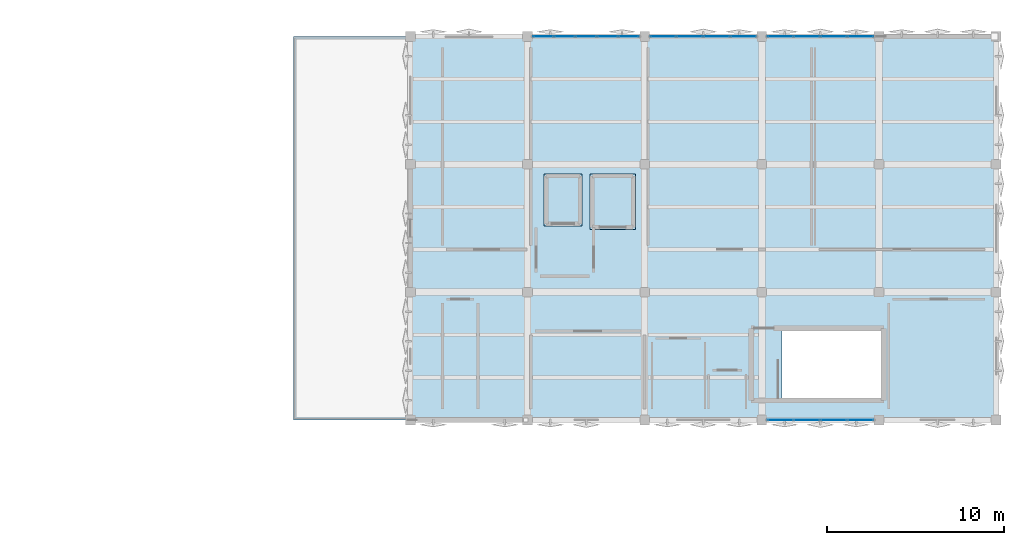
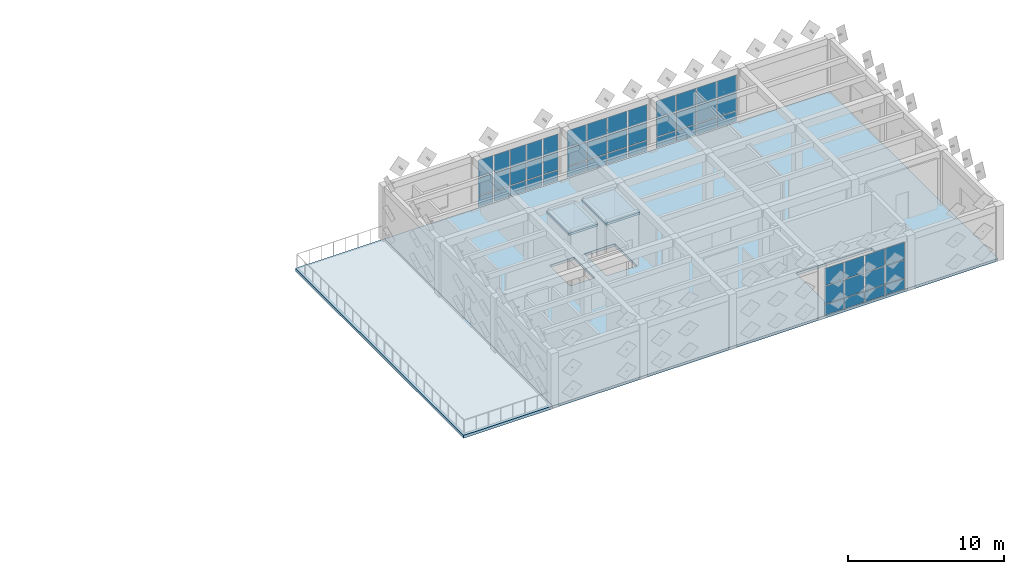
# One storey, part 17 of 29: 51 plates, 4 slabs, 4 elements without a shape of their own.
"""IFC4 building model written with IfcOpenShell, lengths in metres."""

from ifc_helpers import new_model, si_unit, direction, frame, origin, origin_2d, place, context, subcontext, project, spatial, polyline, rectangle, outline, extrude, material, layer, layer_set, type_object, element, aggregate, save


model = new_model("IFC4")

# Units and contexts
model_context = context("Model", 3, precision=1e-05, world=origin(), true_north=direction((0.0, 1.0)))
body_context = subcontext(model_context, "Body", "Model", "MODEL_VIEW")
ifc_project = project(units=[si_unit("LENGTHUNIT", "METRE"), si_unit("AREAUNIT", "SQUARE_METRE"), si_unit("VOLUMEUNIT", "CUBIC_METRE"), si_unit("PLANEANGLEUNIT", "RADIAN"), si_unit("MASSUNIT", "GRAM", prefix="KILO")], contexts=[model_context])

# Site, building, storey
site_placement = place(None, origin())
site = spatial("IfcSite", under=ifc_project, at=site_placement, CompositionType="ELEMENT")
building_placement = place(site_placement, origin())
building = spatial("IfcBuilding", under=site, at=building_placement, Name="Kharisveld Research Institute", CompositionType="ELEMENT")
storey_placement = place(building_placement, frame((0.0, 0.0, 32.10009765625)))
storey = spatial("IfcBuildingStorey", under=building, at=storey_placement, Name="L07", CompositionType="ELEMENT", Elevation=32.10009765625)

# Curtain wall, plates
ifc_material_1 = material(Name="Thermally Broken Aluminium Curtain Wall", Category="aluminium")
ifc_layer_1 = layer(ifc_material_1, 0.159912109375)
ifc_layer_set_1 = layer_set([ifc_layer_1], Name="CW_SYS_01")
curtain_wall_type_1 = type_object("IfcCurtainWallType", Name="CW_SYS_01", PredefinedType="NOTDEFINED", material=ifc_layer_set_1)
curtain_wall_1_placement = place(storey_placement, origin())
curtain_wall_1 = element("IfcCurtainWall", 1, at=curtain_wall_1_placement, inside=storey, type_object=curtain_wall_type_1, Name="CW:V2:L07:N3", PredefinedType="NOTDEFINED")
ifc_material_2 = material(Name="Low-E Double Glazing", Category="glass")
ifc_layer_2 = layer(ifc_material_2, 0.028076171875)
ifc_layer_set_2 = layer_set([ifc_layer_2], Name="CW_PNL_GLZ")
plate_type_1 = type_object("IfcPlateType", Name="CW_PNL_GLZ", PredefinedType="CURTAIN_PANEL", material=ifc_layer_set_2)
plate_1_placement = place(storey_placement, frame((135.292236328125, 60.800048828125, 0.059814453125), z_axis=(0.0, 0.0, 1.0), x_axis=(1.0, 0.0, 0.0)))
plate_1 = element("IfcPlate", 2, at=plate_1_placement, type_object=plate_type_1, Name="CW-01 panel 1.1", PredefinedType="CURTAIN_PANEL", context=body_context, shape_type="SweptSolid", body=[
    extrude(rectangle(XDim=1.114501953125, YDim=0.028076171875, at=origin_2d()), origin(), (0.0, 0.0, 1.0), 0.81005859375),
])
plate_2_placement = place(storey_placement, frame((135.292236328125, 60.800048828125, 0.93017578125), z_axis=(0.0, 0.0, 1.0), x_axis=(1.0, 0.0, 0.0)))
plate_2 = element("IfcPlate", 3, at=plate_2_placement, type_object=plate_type_1, Name="CW-01 panel 1.2", PredefinedType="CURTAIN_PANEL", context=body_context, shape_type="SweptSolid", body=[
    extrude(rectangle(XDim=1.114501953125, YDim=0.028076171875, at=origin_2d()), origin(), (0.0, 0.0, 1.0), 1.389892578125),
])
plate_3_placement = place(storey_placement, frame((135.292236328125, 60.800048828125, 2.3798828125), z_axis=(0.0, 0.0, 1.0), x_axis=(1.0, 0.0, 0.0)))
plate_3 = element("IfcPlate", 4, at=plate_3_placement, type_object=plate_type_1, Name="CW-01 panel 1.3", PredefinedType="CURTAIN_PANEL", context=body_context, shape_type="SweptSolid", body=[
    extrude(rectangle(XDim=1.114501953125, YDim=0.028076171875, at=origin_2d()), origin(), (0.0, 0.0, 1.0), 1.340087890625),
])
plate_4_placement = place(storey_placement, frame((136.488037109375, 60.800048828125, 0.059814453125), z_axis=(0.0, 0.0, 1.0), x_axis=(1.0, 0.0, 0.0)))
plate_4 = element("IfcPlate", 5, at=plate_4_placement, type_object=plate_type_1, Name="CW-01 panel 2.1", PredefinedType="CURTAIN_PANEL", context=body_context, shape_type="SweptSolid", body=[
    extrude(rectangle(XDim=1.14697265625, YDim=0.028076171875, at=origin_2d()), origin(), (0.0, 0.0, 1.0), 0.81005859375),
])
plate_5_placement = place(storey_placement, frame((136.488037109375, 60.800048828125, 0.93017578125), z_axis=(0.0, 0.0, 1.0), x_axis=(1.0, 0.0, 0.0)))
plate_5 = element("IfcPlate", 6, at=plate_5_placement, type_object=plate_type_1, Name="CW-01 panel 2.2", PredefinedType="CURTAIN_PANEL", context=body_context, shape_type="SweptSolid", body=[
    extrude(rectangle(XDim=1.14697265625, YDim=0.028076171875, at=origin_2d()), origin(), (0.0, 0.0, 1.0), 1.389892578125),
])
plate_6_placement = place(storey_placement, frame((136.488037109375, 60.800048828125, 2.3798828125), z_axis=(0.0, 0.0, 1.0), x_axis=(1.0, 0.0, 0.0)))
plate_6 = element("IfcPlate", 7, at=plate_6_placement, type_object=plate_type_1, Name="CW-01 panel 2.3", PredefinedType="CURTAIN_PANEL", context=body_context, shape_type="SweptSolid", body=[
    extrude(rectangle(XDim=1.14697265625, YDim=0.028076171875, at=origin_2d()), origin(), (0.0, 0.0, 1.0), 1.340087890625),
])
plate_7_placement = place(storey_placement, frame((137.699951171875, 60.800048828125, 0.059814453125), z_axis=(0.0, 0.0, 1.0), x_axis=(1.0, 0.0, 0.0)))
plate_7 = element("IfcPlate", 8, at=plate_7_placement, type_object=plate_type_1, Name="CW-01 panel 3.1", PredefinedType="CURTAIN_PANEL", context=body_context, shape_type="SweptSolid", body=[
    extrude(rectangle(XDim=1.14697265625, YDim=0.028076171875, at=origin_2d()), origin(), (0.0, 0.0, 1.0), 0.81005859375),
])
plate_8_placement = place(storey_placement, frame((137.699951171875, 60.800048828125, 0.93017578125), z_axis=(0.0, 0.0, 1.0), x_axis=(1.0, 0.0, 0.0)))
plate_8 = element("IfcPlate", 9, at=plate_8_placement, type_object=plate_type_1, Name="CW-01 panel 3.2", PredefinedType="CURTAIN_PANEL", context=body_context, shape_type="SweptSolid", body=[
    extrude(rectangle(XDim=1.14697265625, YDim=0.028076171875, at=origin_2d()), origin(), (0.0, 0.0, 1.0), 1.389892578125),
])
plate_9_placement = place(storey_placement, frame((137.699951171875, 60.800048828125, 2.3798828125), z_axis=(0.0, 0.0, 1.0), x_axis=(1.0, 0.0, 0.0)))
plate_9 = element("IfcPlate", 10, at=plate_9_placement, type_object=plate_type_1, Name="CW-01 panel 3.3", PredefinedType="CURTAIN_PANEL", context=body_context, shape_type="SweptSolid", body=[
    extrude(rectangle(XDim=1.14697265625, YDim=0.028076171875, at=origin_2d()), origin(), (0.0, 0.0, 1.0), 1.340087890625),
])
plate_10_placement = place(storey_placement, frame((138.912109375, 60.800048828125, 0.059814453125), z_axis=(0.0, 0.0, 1.0), x_axis=(1.0, 0.0, 0.0)))
plate_10 = element("IfcPlate", 11, at=plate_10_placement, type_object=plate_type_1, Name="CW-01 panel 4.1", PredefinedType="CURTAIN_PANEL", context=body_context, shape_type="SweptSolid", body=[
    extrude(rectangle(XDim=1.14697265625, YDim=0.028076171875, at=origin_2d()), origin(), (0.0, 0.0, 1.0), 0.81005859375),
])
plate_11_placement = place(storey_placement, frame((138.912109375, 60.800048828125, 0.93017578125), z_axis=(0.0, 0.0, 1.0), x_axis=(1.0, 0.0, 0.0)))
plate_11 = element("IfcPlate", 12, at=plate_11_placement, type_object=plate_type_1, Name="CW-01 panel 4.2", PredefinedType="CURTAIN_PANEL", context=body_context, shape_type="SweptSolid", body=[
    extrude(rectangle(XDim=1.14697265625, YDim=0.028076171875, at=origin_2d()), origin(), (0.0, 0.0, 1.0), 1.389892578125),
])
plate_12_placement = place(storey_placement, frame((138.912109375, 60.800048828125, 2.3798828125), z_axis=(0.0, 0.0, 1.0), x_axis=(1.0, 0.0, 0.0)))
plate_12 = element("IfcPlate", 13, at=plate_12_placement, type_object=plate_type_1, Name="CW-01 panel 4.3", PredefinedType="CURTAIN_PANEL", context=body_context, shape_type="SweptSolid", body=[
    extrude(rectangle(XDim=1.14697265625, YDim=0.028076171875, at=origin_2d()), origin(), (0.0, 0.0, 1.0), 1.340087890625),
])
plate_13_placement = place(storey_placement, frame((140.107666015625, 60.800048828125, 0.059814453125), z_axis=(0.0, 0.0, 1.0), x_axis=(1.0, 0.0, 0.0)))
plate_13 = element("IfcPlate", 14, at=plate_13_placement, type_object=plate_type_1, Name="CW-01 panel 5.1", PredefinedType="CURTAIN_PANEL", context=body_context, shape_type="SweptSolid", body=[
    extrude(rectangle(XDim=1.114501953125, YDim=0.028076171875, at=origin_2d()), origin(), (0.0, 0.0, 1.0), 0.81005859375),
])
plate_14_placement = place(storey_placement, frame((140.107666015625, 60.800048828125, 0.93017578125), z_axis=(0.0, 0.0, 1.0), x_axis=(1.0, 0.0, 0.0)))
plate_14 = element("IfcPlate", 15, at=plate_14_placement, type_object=plate_type_1, Name="CW-01 panel 5.2", PredefinedType="CURTAIN_PANEL", context=body_context, shape_type="SweptSolid", body=[
    extrude(rectangle(XDim=1.114501953125, YDim=0.028076171875, at=origin_2d()), origin(), (0.0, 0.0, 1.0), 1.389892578125),
])
plate_15_placement = place(storey_placement, frame((140.107666015625, 60.800048828125, 2.3798828125), z_axis=(0.0, 0.0, 1.0), x_axis=(1.0, 0.0, 0.0)))
plate_15 = element("IfcPlate", 16, at=plate_15_placement, type_object=plate_type_1, Name="CW-01 panel 5.3", PredefinedType="CURTAIN_PANEL", context=body_context, shape_type="SweptSolid", body=[
    extrude(rectangle(XDim=1.114501953125, YDim=0.028076171875, at=origin_2d()), origin(), (0.0, 0.0, 1.0), 1.340087890625),
])
aggregate(curtain_wall_1, [plate_1, plate_2, plate_3, plate_4, plate_5, plate_6, plate_7, plate_8, plate_9, plate_10, plate_11, plate_12, plate_13, plate_14, plate_15])

ifc_material_3 = material(Name="Thermally Broken Aluminium Curtain Wall", Category="aluminium")
ifc_layer_3 = layer(ifc_material_3, 0.159912109375)
ifc_layer_set_3 = layer_set([ifc_layer_3], Name="CW_SYS_02")
curtain_wall_type_2 = type_object("IfcCurtainWallType", Name="CW_SYS_02", PredefinedType="NOTDEFINED", material=ifc_layer_set_3)
curtain_wall_2_placement = place(storey_placement, origin())
curtain_wall_2 = element("IfcCurtainWall", 17, at=curtain_wall_2_placement, inside=storey, type_object=curtain_wall_type_2, Name="CW:V2:L07:N4", PredefinedType="NOTDEFINED")
plate_16_placement = place(storey_placement, frame((142.043701171875, 60.800048828125, 0.059814453125), z_axis=(0.0, 0.0, 1.0), x_axis=(1.0, 0.0, 0.0)))
plate_16 = element("IfcPlate", 18, at=plate_16_placement, type_object=plate_type_1, Name="CW-02 panel 1.1", PredefinedType="CURTAIN_PANEL", context=body_context, shape_type="SweptSolid", body=[
    extrude(rectangle(XDim=1.41748046875, YDim=0.028076171875, at=origin_2d()), origin(), (0.0, 0.0, 1.0), 0.81005859375),
])
plate_17_placement = place(storey_placement, frame((142.043701171875, 60.800048828125, 0.93017578125), z_axis=(0.0, 0.0, 1.0), x_axis=(1.0, 0.0, 0.0)))
plate_17 = element("IfcPlate", 19, at=plate_17_placement, type_object=plate_type_1, Name="CW-02 panel 1.2", PredefinedType="CURTAIN_PANEL", context=body_context, shape_type="SweptSolid", body=[
    extrude(rectangle(XDim=1.41748046875, YDim=0.028076171875, at=origin_2d()), origin(), (0.0, 0.0, 1.0), 1.389892578125),
])
plate_18_placement = place(storey_placement, frame((142.043701171875, 60.800048828125, 2.3798828125), z_axis=(0.0, 0.0, 1.0), x_axis=(1.0, 0.0, 0.0)))
plate_18 = element("IfcPlate", 20, at=plate_18_placement, type_object=plate_type_1, Name="CW-02 panel 1.3", PredefinedType="CURTAIN_PANEL", context=body_context, shape_type="SweptSolid", body=[
    extrude(rectangle(XDim=1.41748046875, YDim=0.028076171875, at=origin_2d()), origin(), (0.0, 0.0, 1.0), 1.340087890625),
])
plate_19_placement = place(storey_placement, frame((143.54248046875, 60.800048828125, 0.059814453125), z_axis=(0.0, 0.0, 1.0), x_axis=(1.0, 0.0, 0.0)))
plate_19 = element("IfcPlate", 21, at=plate_19_placement, type_object=plate_type_1, Name="CW-02 panel 2.1", PredefinedType="CURTAIN_PANEL", context=body_context, shape_type="SweptSolid", body=[
    extrude(rectangle(XDim=1.449951171875, YDim=0.028076171875, at=origin_2d()), origin(), (0.0, 0.0, 1.0), 0.81005859375),
])
plate_20_placement = place(storey_placement, frame((143.54248046875, 60.800048828125, 0.93017578125), z_axis=(0.0, 0.0, 1.0), x_axis=(1.0, 0.0, 0.0)))
plate_20 = element("IfcPlate", 22, at=plate_20_placement, type_object=plate_type_1, Name="CW-02 panel 2.2", PredefinedType="CURTAIN_PANEL", context=body_context, shape_type="SweptSolid", body=[
    extrude(rectangle(XDim=1.449951171875, YDim=0.028076171875, at=origin_2d()), origin(), (0.0, 0.0, 1.0), 1.389892578125),
])
plate_21_placement = place(storey_placement, frame((143.54248046875, 60.800048828125, 2.3798828125), z_axis=(0.0, 0.0, 1.0), x_axis=(1.0, 0.0, 0.0)))
plate_21 = element("IfcPlate", 23, at=plate_21_placement, type_object=plate_type_1, Name="CW-02 panel 2.3", PredefinedType="CURTAIN_PANEL", context=body_context, shape_type="SweptSolid", body=[
    extrude(rectangle(XDim=1.449951171875, YDim=0.028076171875, at=origin_2d()), origin(), (0.0, 0.0, 1.0), 1.340087890625),
])
plate_22_placement = place(storey_placement, frame((145.0576171875, 60.800048828125, 0.059814453125), z_axis=(0.0, 0.0, 1.0), x_axis=(1.0, 0.0, 0.0)))
plate_22 = element("IfcPlate", 24, at=plate_22_placement, type_object=plate_type_1, Name="CW-02 panel 3.1", PredefinedType="CURTAIN_PANEL", context=body_context, shape_type="SweptSolid", body=[
    extrude(rectangle(XDim=1.449951171875, YDim=0.028076171875, at=origin_2d()), origin(), (0.0, 0.0, 1.0), 0.81005859375),
])
plate_23_placement = place(storey_placement, frame((145.0576171875, 60.800048828125, 0.93017578125), z_axis=(0.0, 0.0, 1.0), x_axis=(1.0, 0.0, 0.0)))
plate_23 = element("IfcPlate", 25, at=plate_23_placement, type_object=plate_type_1, Name="CW-02 panel 3.2", PredefinedType="CURTAIN_PANEL", context=body_context, shape_type="SweptSolid", body=[
    extrude(rectangle(XDim=1.449951171875, YDim=0.028076171875, at=origin_2d()), origin(), (0.0, 0.0, 1.0), 1.389892578125),
])
plate_24_placement = place(storey_placement, frame((145.0576171875, 60.800048828125, 2.3798828125), z_axis=(0.0, 0.0, 1.0), x_axis=(1.0, 0.0, 0.0)))
plate_24 = element("IfcPlate", 26, at=plate_24_placement, type_object=plate_type_1, Name="CW-02 panel 3.3", PredefinedType="CURTAIN_PANEL", context=body_context, shape_type="SweptSolid", body=[
    extrude(rectangle(XDim=1.449951171875, YDim=0.028076171875, at=origin_2d()), origin(), (0.0, 0.0, 1.0), 1.340087890625),
])
plate_25_placement = place(storey_placement, frame((146.55615234375, 60.800048828125, 0.059814453125), z_axis=(0.0, 0.0, 1.0), x_axis=(1.0, 0.0, 0.0)))
plate_25 = element("IfcPlate", 27, at=plate_25_placement, type_object=plate_type_1, Name="CW-02 panel 4.1", PredefinedType="CURTAIN_PANEL", context=body_context, shape_type="SweptSolid", body=[
    extrude(rectangle(XDim=1.41748046875, YDim=0.028076171875, at=origin_2d()), origin(), (0.0, 0.0, 1.0), 0.81005859375),
])
plate_26_placement = place(storey_placement, frame((146.55615234375, 60.800048828125, 0.93017578125), z_axis=(0.0, 0.0, 1.0), x_axis=(1.0, 0.0, 0.0)))
plate_26 = element("IfcPlate", 28, at=plate_26_placement, type_object=plate_type_1, Name="CW-02 panel 4.2", PredefinedType="CURTAIN_PANEL", context=body_context, shape_type="SweptSolid", body=[
    extrude(rectangle(XDim=1.41748046875, YDim=0.028076171875, at=origin_2d()), origin(), (0.0, 0.0, 1.0), 1.389892578125),
])
plate_27_placement = place(storey_placement, frame((146.55615234375, 60.800048828125, 2.3798828125), z_axis=(0.0, 0.0, 1.0), x_axis=(1.0, 0.0, 0.0)))
plate_27 = element("IfcPlate", 29, at=plate_27_placement, type_object=plate_type_1, Name="CW-02 panel 4.3", PredefinedType="CURTAIN_PANEL", context=body_context, shape_type="SweptSolid", body=[
    extrude(rectangle(XDim=1.41748046875, YDim=0.028076171875, at=origin_2d()), origin(), (0.0, 0.0, 1.0), 1.340087890625),
])
aggregate(curtain_wall_2, [plate_16, plate_17, plate_18, plate_19, plate_20, plate_21, plate_22, plate_23, plate_24, plate_25, plate_26, plate_27])

ifc_material_4 = material(Name="Thermally Broken Aluminium Curtain Wall", Category="aluminium")
ifc_layer_4 = layer(ifc_material_4, 0.159912109375)
ifc_layer_set_4 = layer_set([ifc_layer_4], Name="CW_SYS_03")
curtain_wall_type_3 = type_object("IfcCurtainWallType", Name="CW_SYS_03", PredefinedType="NOTDEFINED", material=ifc_layer_set_4)
curtain_wall_3_placement = place(storey_placement, origin())
curtain_wall_3 = element("IfcCurtainWall", 30, at=curtain_wall_3_placement, inside=storey, type_object=curtain_wall_type_3, Name="CW:V2:L07:N5", PredefinedType="NOTDEFINED")
plate_28_placement = place(storey_placement, frame((148.643798828125, 60.800048828125, 0.059814453125), z_axis=(0.0, 0.0, 1.0), x_axis=(1.0, 0.0, 0.0)))
plate_28 = element("IfcPlate", 31, at=plate_28_placement, type_object=plate_type_1, Name="CW-03 panel 1.1", PredefinedType="CURTAIN_PANEL", context=body_context, shape_type="SweptSolid", body=[
    extrude(rectangle(XDim=1.41748046875, YDim=0.028076171875, at=origin_2d()), origin(), (0.0, 0.0, 1.0), 0.81005859375),
])
plate_29_placement = place(storey_placement, frame((148.643798828125, 60.800048828125, 0.93017578125), z_axis=(0.0, 0.0, 1.0), x_axis=(1.0, 0.0, 0.0)))
plate_29 = element("IfcPlate", 32, at=plate_29_placement, type_object=plate_type_1, Name="CW-03 panel 1.2", PredefinedType="CURTAIN_PANEL", context=body_context, shape_type="SweptSolid", body=[
    extrude(rectangle(XDim=1.41748046875, YDim=0.028076171875, at=origin_2d()), origin(), (0.0, 0.0, 1.0), 1.389892578125),
])
plate_30_placement = place(storey_placement, frame((148.643798828125, 60.800048828125, 2.3798828125), z_axis=(0.0, 0.0, 1.0), x_axis=(1.0, 0.0, 0.0)))
plate_30 = element("IfcPlate", 33, at=plate_30_placement, type_object=plate_type_1, Name="CW-03 panel 1.3", PredefinedType="CURTAIN_PANEL", context=body_context, shape_type="SweptSolid", body=[
    extrude(rectangle(XDim=1.41748046875, YDim=0.028076171875, at=origin_2d()), origin(), (0.0, 0.0, 1.0), 1.340087890625),
])
plate_31_placement = place(storey_placement, frame((150.142578125, 60.800048828125, 0.059814453125), z_axis=(0.0, 0.0, 1.0), x_axis=(1.0, 0.0, 0.0)))
plate_31 = element("IfcPlate", 34, at=plate_31_placement, type_object=plate_type_1, Name="CW-03 panel 2.1", PredefinedType="CURTAIN_PANEL", context=body_context, shape_type="SweptSolid", body=[
    extrude(rectangle(XDim=1.449951171875, YDim=0.028076171875, at=origin_2d()), origin(), (0.0, 0.0, 1.0), 0.81005859375),
])
plate_32_placement = place(storey_placement, frame((150.142578125, 60.800048828125, 0.93017578125), z_axis=(0.0, 0.0, 1.0), x_axis=(1.0, 0.0, 0.0)))
plate_32 = element("IfcPlate", 35, at=plate_32_placement, type_object=plate_type_1, Name="CW-03 panel 2.2", PredefinedType="CURTAIN_PANEL", context=body_context, shape_type="SweptSolid", body=[
    extrude(rectangle(XDim=1.449951171875, YDim=0.028076171875, at=origin_2d()), origin(), (0.0, 0.0, 1.0), 1.389892578125),
])
plate_33_placement = place(storey_placement, frame((150.142578125, 60.800048828125, 2.3798828125), z_axis=(0.0, 0.0, 1.0), x_axis=(1.0, 0.0, 0.0)))
plate_33 = element("IfcPlate", 36, at=plate_33_placement, type_object=plate_type_1, Name="CW-03 panel 2.3", PredefinedType="CURTAIN_PANEL", context=body_context, shape_type="SweptSolid", body=[
    extrude(rectangle(XDim=1.449951171875, YDim=0.028076171875, at=origin_2d()), origin(), (0.0, 0.0, 1.0), 1.340087890625),
])
plate_34_placement = place(storey_placement, frame((151.657470703125, 60.800048828125, 0.059814453125), z_axis=(0.0, 0.0, 1.0), x_axis=(1.0, 0.0, 0.0)))
plate_34 = element("IfcPlate", 37, at=plate_34_placement, type_object=plate_type_1, Name="CW-03 panel 3.1", PredefinedType="CURTAIN_PANEL", context=body_context, shape_type="SweptSolid", body=[
    extrude(rectangle(XDim=1.449951171875, YDim=0.028076171875, at=origin_2d()), origin(), (0.0, 0.0, 1.0), 0.81005859375),
])
plate_35_placement = place(storey_placement, frame((151.657470703125, 60.800048828125, 0.93017578125), z_axis=(0.0, 0.0, 1.0), x_axis=(1.0, 0.0, 0.0)))
plate_35 = element("IfcPlate", 38, at=plate_35_placement, type_object=plate_type_1, Name="CW-03 panel 3.2", PredefinedType="CURTAIN_PANEL", context=body_context, shape_type="SweptSolid", body=[
    extrude(rectangle(XDim=1.449951171875, YDim=0.028076171875, at=origin_2d()), origin(), (0.0, 0.0, 1.0), 1.389892578125),
])
plate_36_placement = place(storey_placement, frame((151.657470703125, 60.800048828125, 2.3798828125), z_axis=(0.0, 0.0, 1.0), x_axis=(1.0, 0.0, 0.0)))
plate_36 = element("IfcPlate", 39, at=plate_36_placement, type_object=plate_type_1, Name="CW-03 panel 3.3", PredefinedType="CURTAIN_PANEL", context=body_context, shape_type="SweptSolid", body=[
    extrude(rectangle(XDim=1.449951171875, YDim=0.028076171875, at=origin_2d()), origin(), (0.0, 0.0, 1.0), 1.340087890625),
])
plate_37_placement = place(storey_placement, frame((153.15625, 60.800048828125, 0.059814453125), z_axis=(0.0, 0.0, 1.0), x_axis=(1.0, 0.0, 0.0)))
plate_37 = element("IfcPlate", 40, at=plate_37_placement, type_object=plate_type_1, Name="CW-03 panel 4.1", PredefinedType="CURTAIN_PANEL", context=body_context, shape_type="SweptSolid", body=[
    extrude(rectangle(XDim=1.41748046875, YDim=0.028076171875, at=origin_2d()), origin(), (0.0, 0.0, 1.0), 0.81005859375),
])
plate_38_placement = place(storey_placement, frame((153.15625, 60.800048828125, 0.93017578125), z_axis=(0.0, 0.0, 1.0), x_axis=(1.0, 0.0, 0.0)))
plate_38 = element("IfcPlate", 41, at=plate_38_placement, type_object=plate_type_1, Name="CW-03 panel 4.2", PredefinedType="CURTAIN_PANEL", context=body_context, shape_type="SweptSolid", body=[
    extrude(rectangle(XDim=1.41748046875, YDim=0.028076171875, at=origin_2d()), origin(), (0.0, 0.0, 1.0), 1.389892578125),
])
plate_39_placement = place(storey_placement, frame((153.15625, 60.800048828125, 2.3798828125), z_axis=(0.0, 0.0, 1.0), x_axis=(1.0, 0.0, 0.0)))
plate_39 = element("IfcPlate", 42, at=plate_39_placement, type_object=plate_type_1, Name="CW-03 panel 4.3", PredefinedType="CURTAIN_PANEL", context=body_context, shape_type="SweptSolid", body=[
    extrude(rectangle(XDim=1.41748046875, YDim=0.028076171875, at=origin_2d()), origin(), (0.0, 0.0, 1.0), 1.340087890625),
])
aggregate(curtain_wall_3, [plate_28, plate_29, plate_30, plate_31, plate_32, plate_33, plate_34, plate_35, plate_36, plate_37, plate_38, plate_39])

ifc_material_5 = material(Name="Thermally Broken Aluminium Curtain Wall", Category="aluminium")
ifc_layer_5 = layer(ifc_material_5, 0.159912109375)
ifc_layer_set_5 = layer_set([ifc_layer_5], Name="CW_SYS_04")
curtain_wall_type_4 = type_object("IfcCurtainWallType", Name="CW_SYS_04", PredefinedType="NOTDEFINED", material=ifc_layer_set_5)
curtain_wall_4_placement = place(storey_placement, origin())
curtain_wall_4 = element("IfcCurtainWall", 43, at=curtain_wall_4_placement, inside=storey, type_object=curtain_wall_type_4, Name="CW:V2:L07:S6", PredefinedType="NOTDEFINED")
ifc_material_6 = material(Name="Insulated Spandrel Glazing", Category="glass")
ifc_layer_6 = layer(ifc_material_6, 0.035888671875)
ifc_layer_set_6 = layer_set([ifc_layer_6], Name="CW_PNL_SPD")
plate_type_2 = type_object("IfcPlateType", Name="CW_PNL_SPD", PredefinedType="CURTAIN_PANEL", material=ifc_layer_set_6)
plate_40_placement = place(storey_placement, frame((153.15625, 39.199951171875, 0.059814453125), z_axis=(0.0, 0.0, 1.0), x_axis=(-1.0, 0.0, 0.0)))
plate_40 = element("IfcPlate", 44, at=plate_40_placement, type_object=plate_type_2, Name="CW-04 panel 1.1", PredefinedType="CURTAIN_PANEL", context=body_context, shape_type="SweptSolid", body=[
    extrude(rectangle(XDim=1.41748046875, YDim=0.035888671875, at=origin_2d()), origin(), (0.0, 0.0, 1.0), 0.81005859375),
])
plate_41_placement = place(storey_placement, frame((153.15625, 39.199951171875, 0.93017578125), z_axis=(0.0, 0.0, 1.0), x_axis=(-1.0, 0.0, 0.0)))
plate_41 = element("IfcPlate", 45, at=plate_41_placement, type_object=plate_type_2, Name="CW-04 panel 1.2", PredefinedType="CURTAIN_PANEL", context=body_context, shape_type="SweptSolid", body=[
    extrude(rectangle(XDim=1.41748046875, YDim=0.035888671875, at=origin_2d()), origin(), (0.0, 0.0, 1.0), 1.389892578125),
])
plate_42_placement = place(storey_placement, frame((153.15625, 39.199951171875, 2.3798828125), z_axis=(0.0, 0.0, 1.0), x_axis=(-1.0, 0.0, 0.0)))
plate_42 = element("IfcPlate", 46, at=plate_42_placement, type_object=plate_type_2, Name="CW-04 panel 1.3", PredefinedType="CURTAIN_PANEL", context=body_context, shape_type="SweptSolid", body=[
    extrude(rectangle(XDim=1.41748046875, YDim=0.035888671875, at=origin_2d()), origin(), (0.0, 0.0, 1.0), 1.340087890625),
])
plate_43_placement = place(storey_placement, frame((151.657470703125, 39.199951171875, 0.059814453125), z_axis=(0.0, 0.0, 1.0), x_axis=(-1.0, 0.0, 0.0)))
plate_43 = element("IfcPlate", 47, at=plate_43_placement, type_object=plate_type_2, Name="CW-04 panel 2.1", PredefinedType="CURTAIN_PANEL", context=body_context, shape_type="SweptSolid", body=[
    extrude(rectangle(XDim=1.449951171875, YDim=0.035888671875, at=origin_2d()), origin(), (0.0, 0.0, 1.0), 0.81005859375),
])
plate_44_placement = place(storey_placement, frame((151.657470703125, 39.199951171875, 0.93017578125), z_axis=(0.0, 0.0, 1.0), x_axis=(-1.0, 0.0, 0.0)))
plate_44 = element("IfcPlate", 48, at=plate_44_placement, type_object=plate_type_2, Name="CW-04 panel 2.2", PredefinedType="CURTAIN_PANEL", context=body_context, shape_type="SweptSolid", body=[
    extrude(rectangle(XDim=1.449951171875, YDim=0.035888671875, at=origin_2d()), origin(), (0.0, 0.0, 1.0), 1.389892578125),
])
plate_45_placement = place(storey_placement, frame((151.657470703125, 39.199951171875, 2.3798828125), z_axis=(0.0, 0.0, 1.0), x_axis=(-1.0, 0.0, 0.0)))
plate_45 = element("IfcPlate", 49, at=plate_45_placement, type_object=plate_type_2, Name="CW-04 panel 2.3", PredefinedType="CURTAIN_PANEL", context=body_context, shape_type="SweptSolid", body=[
    extrude(rectangle(XDim=1.449951171875, YDim=0.035888671875, at=origin_2d()), origin(), (0.0, 0.0, 1.0), 1.340087890625),
])
plate_46_placement = place(storey_placement, frame((150.142578125, 39.199951171875, 0.059814453125), z_axis=(0.0, 0.0, 1.0), x_axis=(-1.0, 0.0, 0.0)))
plate_46 = element("IfcPlate", 50, at=plate_46_placement, type_object=plate_type_2, Name="CW-04 panel 3.1", PredefinedType="CURTAIN_PANEL", context=body_context, shape_type="SweptSolid", body=[
    extrude(rectangle(XDim=1.449951171875, YDim=0.035888671875, at=origin_2d()), origin(), (0.0, 0.0, 1.0), 0.81005859375),
])
plate_47_placement = place(storey_placement, frame((150.142578125, 39.199951171875, 0.93017578125), z_axis=(0.0, 0.0, 1.0), x_axis=(-1.0, 0.0, 0.0)))
plate_47 = element("IfcPlate", 51, at=plate_47_placement, type_object=plate_type_2, Name="CW-04 panel 3.2", PredefinedType="CURTAIN_PANEL", context=body_context, shape_type="SweptSolid", body=[
    extrude(rectangle(XDim=1.449951171875, YDim=0.035888671875, at=origin_2d()), origin(), (0.0, 0.0, 1.0), 1.389892578125),
])
plate_48_placement = place(storey_placement, frame((150.142578125, 39.199951171875, 2.3798828125), z_axis=(0.0, 0.0, 1.0), x_axis=(-1.0, 0.0, 0.0)))
plate_48 = element("IfcPlate", 52, at=plate_48_placement, type_object=plate_type_2, Name="CW-04 panel 3.3", PredefinedType="CURTAIN_PANEL", context=body_context, shape_type="SweptSolid", body=[
    extrude(rectangle(XDim=1.449951171875, YDim=0.035888671875, at=origin_2d()), origin(), (0.0, 0.0, 1.0), 1.340087890625),
])
plate_49_placement = place(storey_placement, frame((148.643798828125, 39.199951171875, 0.059814453125), z_axis=(0.0, 0.0, 1.0), x_axis=(-1.0, 0.0, 0.0)))
plate_49 = element("IfcPlate", 53, at=plate_49_placement, type_object=plate_type_2, Name="CW-04 panel 4.1", PredefinedType="CURTAIN_PANEL", context=body_context, shape_type="SweptSolid", body=[
    extrude(rectangle(XDim=1.41748046875, YDim=0.035888671875, at=origin_2d()), origin(), (0.0, 0.0, 1.0), 0.81005859375),
])
plate_50_placement = place(storey_placement, frame((148.643798828125, 39.199951171875, 0.93017578125), z_axis=(0.0, 0.0, 1.0), x_axis=(-1.0, 0.0, 0.0)))
plate_50 = element("IfcPlate", 54, at=plate_50_placement, type_object=plate_type_2, Name="CW-04 panel 4.2", PredefinedType="CURTAIN_PANEL", context=body_context, shape_type="SweptSolid", body=[
    extrude(rectangle(XDim=1.41748046875, YDim=0.035888671875, at=origin_2d()), origin(), (0.0, 0.0, 1.0), 1.389892578125),
])
plate_51_placement = place(storey_placement, frame((148.643798828125, 39.199951171875, 2.3798828125), z_axis=(0.0, 0.0, 1.0), x_axis=(-1.0, 0.0, 0.0)))
plate_51 = element("IfcPlate", 55, at=plate_51_placement, type_object=plate_type_2, Name="CW-04 panel 4.3", PredefinedType="CURTAIN_PANEL", context=body_context, shape_type="SweptSolid", body=[
    extrude(rectangle(XDim=1.41748046875, YDim=0.035888671875, at=origin_2d()), origin(), (0.0, 0.0, 1.0), 1.340087890625),
])
aggregate(curtain_wall_4, [plate_40, plate_41, plate_42, plate_43, plate_44, plate_45, plate_46, plate_47, plate_48, plate_49, plate_50, plate_51])

# Slabs
ifc_material_7 = material(Name="Concrete C40/50", Category="concrete")
ifc_layer_7 = layer(ifc_material_7, 0.22509765625)
ifc_layer_set_7 = layer_set([ifc_layer_7], Name="SL_EXT_225")
slab_type_1 = type_object("IfcSlabType", Name="SL_EXT_225", PredefinedType="FLOOR", material=ifc_layer_set_7)
slab_1_placement = place(storey_placement, frame((0.0, 0.0, -0.22509765625)))
element("IfcSlab", 56, at=slab_1_placement, inside=storey, type_object=slab_type_1, Name="SLAB:V2:L07:TERRACE", PredefinedType="FLOOR", context=body_context, shape_type="SweptSolid", body=[
    extrude(outline(polyline([(121.199951171875, 39.199951171875), (127.800048828125, 39.199951171875), (127.800048828125, 60.800048828125), (121.199951171875, 60.800048828125), (121.199951171875, 39.199951171875)])), origin(), (0.0, 0.0, 1.0), 0.22509765625),
])
ifc_material_8 = material(Name="Concrete C40/50", Category="concrete")
ifc_layer_8 = layer(ifc_material_8, 0.179931640625)
ifc_layer_set_8 = layer_set([ifc_layer_8], Name="SL_FLR_180")
slab_type_2 = type_object("IfcSlabType", Name="SL_FLR_180", PredefinedType="FLOOR", material=ifc_layer_set_8)
slab_2_placement = place(storey_placement, frame((0.0, 0.0, 4.06982421875)))
element("IfcSlab", 57, at=slab_2_placement, inside=storey, type_object=slab_type_2, Name="SLAB:LFT:FFL-02:L07:CAP", PredefinedType="FLOOR", context=body_context, shape_type="SweptSolid", body=[
    extrude(outline(polyline([(135.330078125, 50.1298828125), (137.469970703125, 50.1298828125), (137.469970703125, 53.070068359375), (135.330078125, 53.070068359375), (135.330078125, 50.1298828125)])), origin(), (0.0, 0.0, 1.0), 0.18017578125),
])
slab_3_placement = place(storey_placement, frame((0.0, 0.0, 4.06982421875)))
element("IfcSlab", 58, at=slab_3_placement, inside=storey, type_object=slab_type_2, Name="SLAB:LFT:GL-01:L07:CAP", PredefinedType="FLOOR", context=body_context, shape_type="SweptSolid", body=[
    extrude(outline(polyline([(137.929931640625, 49.929931640625), (140.469970703125, 49.929931640625), (140.469970703125, 53.070068359375), (137.929931640625, 53.070068359375), (137.929931640625, 49.929931640625)])), origin(), (0.0, 0.0, 1.0), 0.18017578125),
])
ifc_material_9 = material(Name="Concrete C40/50", Category="concrete")
ifc_layer_9 = layer(ifc_material_9, 0.199951171875)
ifc_layer_set_9 = layer_set([ifc_layer_9], Name="SL_FLR_200")
slab_type_3 = type_object("IfcSlabType", Name="SL_FLR_200", PredefinedType="FLOOR", material=ifc_layer_set_9)
slab_4_placement = place(storey_placement, frame((0.0, 0.0, -0.2001953125)))
element("IfcSlab", 59, at=slab_4_placement, inside=storey, type_object=slab_type_3, Name="SLAB:V2:L07:MAIN", PredefinedType="FLOOR", context=body_context, shape_type="SweptSolid", body=[
    extrude(outline(polyline([(127.800048828125, 39.199951171875), (160.800048828125, 39.199951171875), (160.800048828125, 60.800048828125), (127.800048828125, 60.800048828125), (127.800048828125, 39.199951171875)]), holes=[polyline([(154.35009765625, 44.260009765625), (154.35009765625, 40.39990234375), (148.75, 40.39990234375), (148.75, 44.260009765625), (154.35009765625, 44.260009765625)]), polyline([(140.320068359375, 50.080078125), (138.080078125, 50.080078125), (138.080078125, 52.919921875), (140.320068359375, 52.919921875), (140.320068359375, 50.080078125)]), polyline([(137.320068359375, 50.280029296875), (135.47998046875, 50.280029296875), (135.47998046875, 52.919921875), (137.320068359375, 52.919921875), (137.320068359375, 50.280029296875)])]), origin(), (0.0, 0.0, 1.0), 0.2001953125),
])

save(model, "model.ifc")
